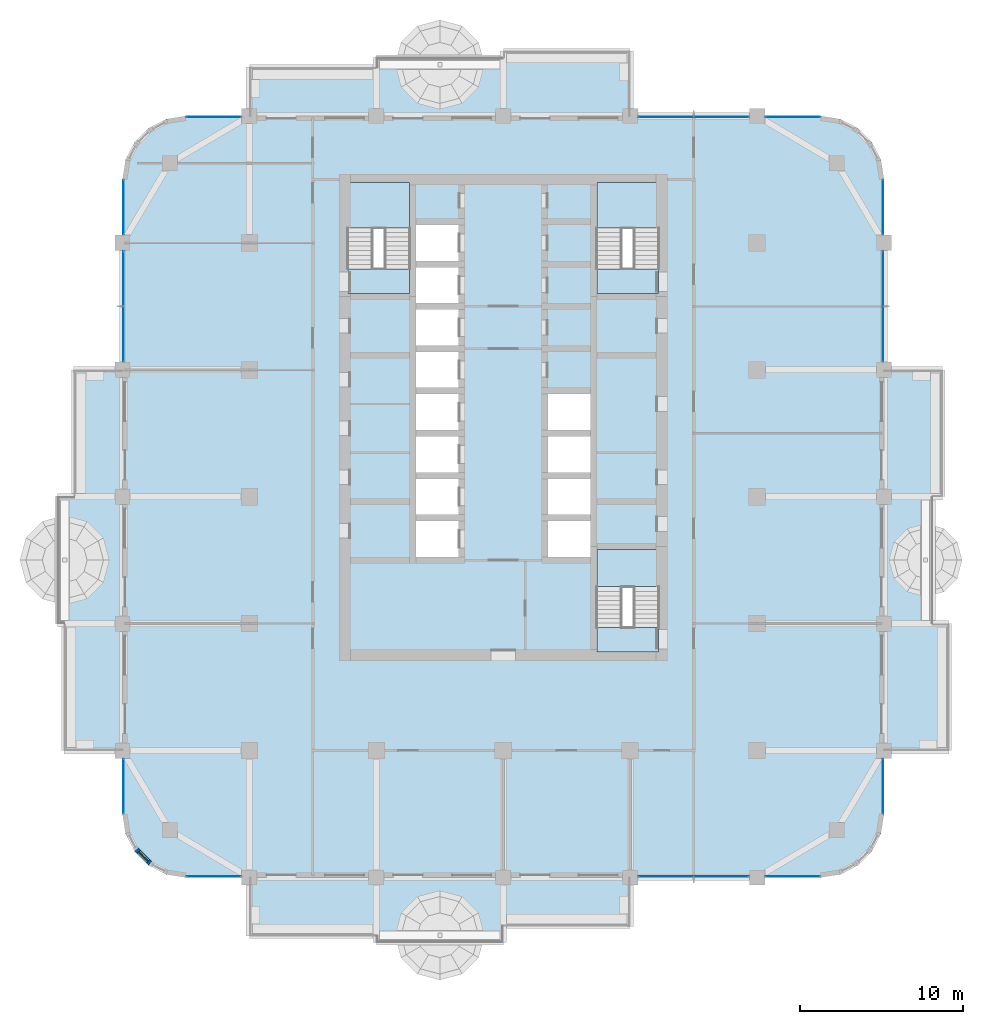
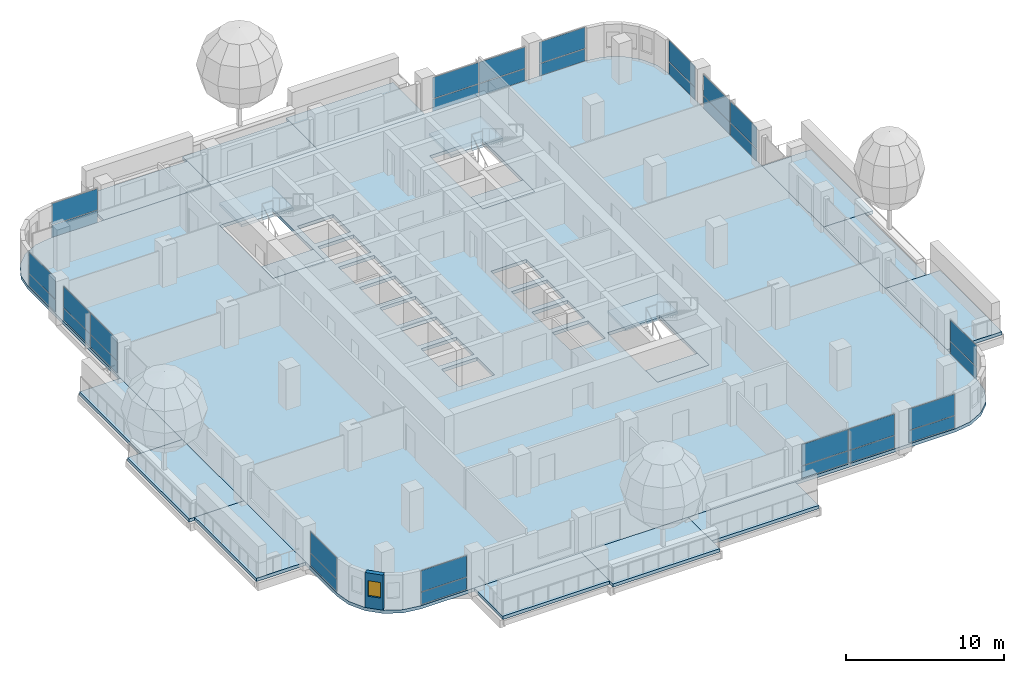
# One storey, part 9 of 21: 32 plates, 19 slabs, 1 wall, 1 window, 1 opening, 15 elements without a shape of their own.
"""IFC4 building model written with IfcOpenShell, lengths in metres."""

from ifc_helpers import new_model, si_unit, direction, frame, frame_2d, origin, origin_2d, place, context, subcontext, project, spatial, polyline, rectangle, outline, extrude, material, layer, layer_set, type_object, element, fill, aggregate, save


model = new_model("IFC4")

# Units and contexts
model_context = context("Model", 3, precision=1e-05, world=origin(), true_north=direction((0.0, 1.0)))
body_context = subcontext(model_context, "Body", "Model", "MODEL_VIEW")
ifc_project = project(units=[si_unit("LENGTHUNIT", "METRE"), si_unit("AREAUNIT", "SQUARE_METRE"), si_unit("VOLUMEUNIT", "CUBIC_METRE"), si_unit("PLANEANGLEUNIT", "RADIAN"), si_unit("MASSUNIT", "GRAM", prefix="KILO")], contexts=[model_context])

# Site, building, storey
site_placement = place(None, origin())
site = spatial("IfcSite", under=ifc_project, at=site_placement, CompositionType="ELEMENT")
building_placement = place(site_placement, origin())
building = spatial("IfcBuilding", under=site, at=building_placement, Name="Ludao Terraces", CompositionType="ELEMENT")
storey_placement = place(building_placement, frame((0.0, 0.0, 71.60009765625)))
storey = spatial("IfcBuildingStorey", under=building, at=storey_placement, Name="L19", CompositionType="ELEMENT", Elevation=71.60009765625)

# Slabs
ifc_material_1 = material(Name="Concrete C40", Category="concrete")
ifc_layer_1 = layer(ifc_material_1, 0.25)
ifc_layer_set_1 = layer_set([ifc_layer_1], Name="Balcony slab 250 C40")
slab_type_1 = type_object("IfcSlabType", Name="Balcony slab 250 C40", PredefinedType="USERDEFINED", material=ifc_layer_set_1)
slab_1_placement = place(storey_placement, frame((0.0, 0.0, -0.25)))
element("IfcSlab", 1, at=slab_1_placement, inside=storey, type_object=slab_type_1, Name="Balcony L19 S1", ObjectType="BALCONY", PredefinedType="USERDEFINED", context=body_context, shape_type="SweptSolid", body=[
    extrude(outline(polyline([(69.39990234375, 38.0), (77.199951171875, 38.0), (77.199951171875, 41.60009765625), (69.39990234375, 41.60009765625), (69.39990234375, 38.0)])), origin(), (0.0, 0.0, 1.0), 0.25),
])
slab_2_placement = place(storey_placement, frame((0.0, 0.0, -0.25)))
element("IfcSlab", 2, at=slab_2_placement, inside=storey, type_object=slab_type_1, Name="Balcony L19 S2", ObjectType="BALCONY", PredefinedType="USERDEFINED", context=body_context, shape_type="SweptSolid", body=[
    extrude(outline(polyline([(77.199951171875, 37.60009765625), (85.0, 37.60009765625), (85.0, 41.60009765625), (77.199951171875, 41.60009765625), (77.199951171875, 37.60009765625)])), origin(), (0.0, 0.0, 1.0), 0.25),
])
slab_3_placement = place(storey_placement, frame((0.0, 0.0, -0.25)))
element("IfcSlab", 3, at=slab_3_placement, inside=storey, type_object=slab_type_1, Name="Balcony L19 S3", ObjectType="BALCONY", PredefinedType="USERDEFINED", context=body_context, shape_type="SweptSolid", body=[
    extrude(outline(polyline([(85.0, 38.60009765625), (92.800048828125, 38.60009765625), (92.800048828125, 41.60009765625), (85.0, 41.60009765625), (85.0, 38.60009765625)])), origin(), (0.0, 0.0, 1.0), 0.25),
])
slab_4_placement = place(storey_placement, frame((0.0, 0.0, -0.25)))
element("IfcSlab", 4, at=slab_4_placement, inside=storey, type_object=slab_type_1, Name="Balcony L19 E1", ObjectType="BALCONY", PredefinedType="USERDEFINED", context=body_context, shape_type="SweptSolid", body=[
    extrude(outline(polyline([(108.39990234375, 49.39990234375), (112.39990234375, 49.39990234375), (112.39990234375, 57.199951171875), (108.39990234375, 57.199951171875), (108.39990234375, 49.39990234375)])), origin(), (0.0, 0.0, 1.0), 0.25),
])
slab_5_placement = place(storey_placement, frame((0.0, 0.0, -0.25)))
element("IfcSlab", 5, at=slab_5_placement, inside=storey, type_object=slab_type_1, Name="Balcony L19 E2", ObjectType="BALCONY", PredefinedType="USERDEFINED", context=body_context, shape_type="SweptSolid", body=[
    extrude(outline(polyline([(108.39990234375, 57.199951171875), (111.39990234375, 57.199951171875), (111.39990234375, 65.0), (108.39990234375, 65.0), (108.39990234375, 57.199951171875)])), origin(), (0.0, 0.0, 1.0), 0.25),
])
slab_6_placement = place(storey_placement, frame((0.0, 0.0, -0.25)))
element("IfcSlab", 6, at=slab_6_placement, inside=storey, type_object=slab_type_1, Name="Balcony L19 E3", ObjectType="BALCONY", PredefinedType="USERDEFINED", context=body_context, shape_type="SweptSolid", body=[
    extrude(outline(polyline([(108.39990234375, 65.0), (112.0, 65.0), (112.0, 72.800048828125), (108.39990234375, 72.800048828125), (108.39990234375, 65.0)])), origin(), (0.0, 0.0, 1.0), 0.25),
])
slab_7_placement = place(storey_placement, frame((0.0, 0.0, -0.25)))
element("IfcSlab", 7, at=slab_7_placement, inside=storey, type_object=slab_type_1, Name="Balcony L19 N1", ObjectType="BALCONY", PredefinedType="USERDEFINED", context=body_context, shape_type="SweptSolid", body=[
    extrude(outline(polyline([(69.39990234375, 88.39990234375), (77.199951171875, 88.39990234375), (77.199951171875, 91.39990234375), (69.39990234375, 91.39990234375), (69.39990234375, 88.39990234375)])), origin(), (0.0, 0.0, 1.0), 0.25),
])
slab_8_placement = place(storey_placement, frame((0.0, 0.0, -0.25)))
element("IfcSlab", 8, at=slab_8_placement, inside=storey, type_object=slab_type_1, Name="Balcony L19 N2", ObjectType="BALCONY", PredefinedType="USERDEFINED", context=body_context, shape_type="SweptSolid", body=[
    extrude(outline(polyline([(77.199951171875, 88.39990234375), (85.0, 88.39990234375), (85.0, 92.0), (77.199951171875, 92.0), (77.199951171875, 88.39990234375)])), origin(), (0.0, 0.0, 1.0), 0.25),
])
slab_9_placement = place(storey_placement, frame((0.0, 0.0, -0.25)))
element("IfcSlab", 9, at=slab_9_placement, inside=storey, type_object=slab_type_1, Name="Balcony L19 N3", ObjectType="BALCONY", PredefinedType="USERDEFINED", context=body_context, shape_type="SweptSolid", body=[
    extrude(outline(polyline([(85.0, 88.39990234375), (92.800048828125, 88.39990234375), (92.800048828125, 92.39990234375), (85.0, 92.39990234375), (85.0, 88.39990234375)])), origin(), (0.0, 0.0, 1.0), 0.25),
])
slab_10_placement = place(storey_placement, frame((0.0, 0.0, -0.25)))
element("IfcSlab", 10, at=slab_10_placement, inside=storey, type_object=slab_type_1, Name="Balcony L19 W1", ObjectType="BALCONY", PredefinedType="USERDEFINED", context=body_context, shape_type="SweptSolid", body=[
    extrude(outline(polyline([(58.0, 49.39990234375), (61.60009765625, 49.39990234375), (61.60009765625, 57.199951171875), (58.0, 57.199951171875), (58.0, 49.39990234375)])), origin(), (0.0, 0.0, 1.0), 0.25),
])
slab_11_placement = place(storey_placement, frame((0.0, 0.0, -0.25)))
element("IfcSlab", 11, at=slab_11_placement, inside=storey, type_object=slab_type_1, Name="Balcony L19 W2", ObjectType="BALCONY", PredefinedType="USERDEFINED", context=body_context, shape_type="SweptSolid", body=[
    extrude(outline(polyline([(57.60009765625, 57.199951171875), (61.60009765625, 57.199951171875), (61.60009765625, 65.0), (57.60009765625, 65.0), (57.60009765625, 57.199951171875)])), origin(), (0.0, 0.0, 1.0), 0.25),
])
slab_12_placement = place(storey_placement, frame((0.0, 0.0, -0.25)))
element("IfcSlab", 12, at=slab_12_placement, inside=storey, type_object=slab_type_1, Name="Balcony L19 W3", ObjectType="BALCONY", PredefinedType="USERDEFINED", context=body_context, shape_type="SweptSolid", body=[
    extrude(outline(polyline([(58.60009765625, 65.0), (61.60009765625, 65.0), (61.60009765625, 72.800048828125), (58.60009765625, 72.800048828125), (58.60009765625, 65.0)])), origin(), (0.0, 0.0, 1.0), 0.25),
])

# Curtain wall, plates
ifc_material_2 = material(Name="Aluminium curtain wall with fritted glass", Category="aluminium")
curtain_wall_type = type_object("IfcCurtainWallType", Name="ENV CW3 community glazing", PredefinedType="NOTDEFINED", material=ifc_material_2)
curtain_wall_1_placement = place(storey_placement, origin())
curtain_wall_1 = element("IfcCurtainWall", 13, at=curtain_wall_1_placement, inside=storey, type_object=curtain_wall_type, Name="Community floor glazing L19 S1", PredefinedType="NOTDEFINED")
ifc_material_3 = material(Name="Fritted glass panel", Category="glass")
ifc_layer_2 = layer(ifc_material_3, 0.02392578125)
ifc_layer_set_2 = layer_set([ifc_layer_2], Name="ENV CW3 glass panel")
plate_type = type_object("IfcPlateType", Name="ENV CW3 glass panel", PredefinedType="CURTAIN_PANEL", material=ifc_layer_set_2)
plate_1_placement = place(storey_placement, frame((67.21240234375, 41.659912109375, 0.0498046875), z_axis=(0.0, 0.0, 1.0), x_axis=(1.0, 0.0, 0.0)))
plate_1 = element("IfcPlate", 14, at=plate_1_placement, type_object=plate_type, Name="CW3 panel 1.1", PredefinedType="CURTAIN_PANEL", context=body_context, shape_type="SweptSolid", body=[
    extrude(rectangle(XDim=3.324951171875, YDim=0.02392578125, at=origin_2d()), origin(), (0.0, 0.0, 1.0), 0.925048828125),
])
plate_2_placement = place(storey_placement, frame((67.21240234375, 41.659912109375, 1.02490234375), z_axis=(0.0, 0.0, 1.0), x_axis=(1.0, 0.0, 0.0)))
plate_2 = element("IfcPlate", 15, at=plate_2_placement, type_object=plate_type, Name="CW3 panel 1.2", PredefinedType="CURTAIN_PANEL", context=body_context, shape_type="SweptSolid", body=[
    extrude(rectangle(XDim=3.324951171875, YDim=0.02392578125, at=origin_2d()), origin(), (0.0, 0.0, 1.0), 1.625),
])
aggregate(curtain_wall_1, [plate_1, plate_2])

curtain_wall_2_placement = place(storey_placement, origin())
curtain_wall_2 = element("IfcCurtainWall", 16, at=curtain_wall_2_placement, inside=storey, type_object=curtain_wall_type, Name="Community floor glazing L19 S5", PredefinedType="NOTDEFINED")
plate_3_placement = place(storey_placement, frame((95.0, 41.659912109375, 0.0498046875), z_axis=(0.0, 0.0, 1.0), x_axis=(1.0, 0.0, 0.0)))
plate_3 = element("IfcPlate", 17, at=plate_3_placement, type_object=plate_type, Name="CW3 panel 1.1", PredefinedType="CURTAIN_PANEL", context=body_context, shape_type="SweptSolid", body=[
    extrude(rectangle(XDim=3.35009765625, YDim=0.02392578125, at=origin_2d()), origin(), (0.0, 0.0, 1.0), 0.925048828125),
])
plate_4_placement = place(storey_placement, frame((95.0, 41.659912109375, 1.02490234375), z_axis=(0.0, 0.0, 1.0), x_axis=(1.0, 0.0, 0.0)))
plate_4 = element("IfcPlate", 18, at=plate_4_placement, type_object=plate_type, Name="CW3 panel 1.2", PredefinedType="CURTAIN_PANEL", context=body_context, shape_type="SweptSolid", body=[
    extrude(rectangle(XDim=3.35009765625, YDim=0.02392578125, at=origin_2d()), origin(), (0.0, 0.0, 1.0), 1.625),
])
plate_5_placement = place(storey_placement, frame((98.39990234375, 41.659912109375, 0.0498046875), z_axis=(0.0, 0.0, 1.0), x_axis=(1.0, 0.0, 0.0)))
plate_5 = element("IfcPlate", 19, at=plate_5_placement, type_object=plate_type, Name="CW3 panel 2.1", PredefinedType="CURTAIN_PANEL", context=body_context, shape_type="SweptSolid", body=[
    extrude(rectangle(XDim=3.35009765625, YDim=0.02392578125, at=origin_2d()), origin(), (0.0, 0.0, 1.0), 0.925048828125),
])
plate_6_placement = place(storey_placement, frame((98.39990234375, 41.659912109375, 1.02490234375), z_axis=(0.0, 0.0, 1.0), x_axis=(1.0, 0.0, 0.0)))
plate_6 = element("IfcPlate", 20, at=plate_6_placement, type_object=plate_type, Name="CW3 panel 2.2", PredefinedType="CURTAIN_PANEL", context=body_context, shape_type="SweptSolid", body=[
    extrude(rectangle(XDim=3.35009765625, YDim=0.02392578125, at=origin_2d()), origin(), (0.0, 0.0, 1.0), 1.625),
])
aggregate(curtain_wall_2, [plate_3, plate_4, plate_5, plate_6])

curtain_wall_3_placement = place(storey_placement, origin())
curtain_wall_3 = element("IfcCurtainWall", 21, at=curtain_wall_3_placement, inside=storey, type_object=curtain_wall_type, Name="Community floor glazing L19 S6", PredefinedType="NOTDEFINED")
plate_7_placement = place(storey_placement, frame((102.78759765625, 41.659912109375, 0.0498046875), z_axis=(0.0, 0.0, 1.0), x_axis=(1.0, 0.0, 0.0)))
plate_7 = element("IfcPlate", 22, at=plate_7_placement, type_object=plate_type, Name="CW3 panel 1.1", PredefinedType="CURTAIN_PANEL", context=body_context, shape_type="SweptSolid", body=[
    extrude(rectangle(XDim=3.324951171875, YDim=0.02392578125, at=origin_2d()), origin(), (0.0, 0.0, 1.0), 0.925048828125),
])
plate_8_placement = place(storey_placement, frame((102.78759765625, 41.659912109375, 1.02490234375), z_axis=(0.0, 0.0, 1.0), x_axis=(1.0, 0.0, 0.0)))
plate_8 = element("IfcPlate", 23, at=plate_8_placement, type_object=plate_type, Name="CW3 panel 1.2", PredefinedType="CURTAIN_PANEL", context=body_context, shape_type="SweptSolid", body=[
    extrude(rectangle(XDim=3.324951171875, YDim=0.02392578125, at=origin_2d()), origin(), (0.0, 0.0, 1.0), 1.625),
])
aggregate(curtain_wall_3, [plate_7, plate_8])

curtain_wall_4_placement = place(storey_placement, origin())
curtain_wall_4 = element("IfcCurtainWall", 24, at=curtain_wall_4_placement, inside=storey, type_object=curtain_wall_type, Name="Community floor glazing L19 E1", PredefinedType="NOTDEFINED")
plate_9_placement = place(storey_placement, frame((108.340087890625, 47.21240234375, 0.0498046875), z_axis=(0.0, 0.0, 1.0), x_axis=(0.0, 1.0, 0.0)))
plate_9 = element("IfcPlate", 25, at=plate_9_placement, type_object=plate_type, Name="CW3 panel 1.1", PredefinedType="CURTAIN_PANEL", context=body_context, shape_type="SweptSolid", body=[
    extrude(rectangle(XDim=3.324951171875, YDim=0.02392578125, at=origin_2d()), origin(), (0.0, 0.0, 1.0), 0.925048828125),
])
plate_10_placement = place(storey_placement, frame((108.340087890625, 47.21240234375, 1.02490234375), z_axis=(0.0, 0.0, 1.0), x_axis=(0.0, 1.0, 0.0)))
plate_10 = element("IfcPlate", 26, at=plate_10_placement, type_object=plate_type, Name="CW3 panel 1.2", PredefinedType="CURTAIN_PANEL", context=body_context, shape_type="SweptSolid", body=[
    extrude(rectangle(XDim=3.324951171875, YDim=0.02392578125, at=origin_2d()), origin(), (0.0, 0.0, 1.0), 1.625),
])
aggregate(curtain_wall_4, [plate_9, plate_10])

curtain_wall_5_placement = place(storey_placement, origin())
curtain_wall_5 = element("IfcCurtainWall", 27, at=curtain_wall_5_placement, inside=storey, type_object=curtain_wall_type, Name="Community floor glazing L19 E5", PredefinedType="NOTDEFINED")
plate_11_placement = place(storey_placement, frame((108.340087890625, 75.0, 0.0498046875), z_axis=(0.0, 0.0, 1.0), x_axis=(0.0, 1.0, 0.0)))
plate_11 = element("IfcPlate", 28, at=plate_11_placement, type_object=plate_type, Name="CW3 panel 1.1", PredefinedType="CURTAIN_PANEL", context=body_context, shape_type="SweptSolid", body=[
    extrude(rectangle(XDim=3.35009765625, YDim=0.02392578125, at=origin_2d()), origin(), (0.0, 0.0, 1.0), 0.925048828125),
])
plate_12_placement = place(storey_placement, frame((108.340087890625, 75.0, 1.02490234375), z_axis=(0.0, 0.0, 1.0), x_axis=(0.0, 1.0, 0.0)))
plate_12 = element("IfcPlate", 29, at=plate_12_placement, type_object=plate_type, Name="CW3 panel 1.2", PredefinedType="CURTAIN_PANEL", context=body_context, shape_type="SweptSolid", body=[
    extrude(rectangle(XDim=3.35009765625, YDim=0.02392578125, at=origin_2d()), origin(), (0.0, 0.0, 1.0), 1.625),
])
plate_13_placement = place(storey_placement, frame((108.340087890625, 78.39990234375, 0.0498046875), z_axis=(0.0, 0.0, 1.0), x_axis=(0.0, 1.0, 0.0)))
plate_13 = element("IfcPlate", 30, at=plate_13_placement, type_object=plate_type, Name="CW3 panel 2.1", PredefinedType="CURTAIN_PANEL", context=body_context, shape_type="SweptSolid", body=[
    extrude(rectangle(XDim=3.35009765625, YDim=0.02392578125, at=origin_2d()), origin(), (0.0, 0.0, 1.0), 0.925048828125),
])
plate_14_placement = place(storey_placement, frame((108.340087890625, 78.39990234375, 1.02490234375), z_axis=(0.0, 0.0, 1.0), x_axis=(0.0, 1.0, 0.0)))
plate_14 = element("IfcPlate", 31, at=plate_14_placement, type_object=plate_type, Name="CW3 panel 2.2", PredefinedType="CURTAIN_PANEL", context=body_context, shape_type="SweptSolid", body=[
    extrude(rectangle(XDim=3.35009765625, YDim=0.02392578125, at=origin_2d()), origin(), (0.0, 0.0, 1.0), 1.625),
])
aggregate(curtain_wall_5, [plate_11, plate_12, plate_13, plate_14])

curtain_wall_6_placement = place(storey_placement, origin())
curtain_wall_6 = element("IfcCurtainWall", 32, at=curtain_wall_6_placement, inside=storey, type_object=curtain_wall_type, Name="Community floor glazing L19 E6", PredefinedType="NOTDEFINED")
plate_15_placement = place(storey_placement, frame((108.340087890625, 82.78759765625, 0.0498046875), z_axis=(0.0, 0.0, 1.0), x_axis=(0.0, 1.0, 0.0)))
plate_15 = element("IfcPlate", 33, at=plate_15_placement, type_object=plate_type, Name="CW3 panel 1.1", PredefinedType="CURTAIN_PANEL", context=body_context, shape_type="SweptSolid", body=[
    extrude(rectangle(XDim=3.324951171875, YDim=0.02392578125, at=origin_2d()), origin(), (0.0, 0.0, 1.0), 0.925048828125),
])
plate_16_placement = place(storey_placement, frame((108.340087890625, 82.78759765625, 1.02490234375), z_axis=(0.0, 0.0, 1.0), x_axis=(0.0, 1.0, 0.0)))
plate_16 = element("IfcPlate", 34, at=plate_16_placement, type_object=plate_type, Name="CW3 panel 1.2", PredefinedType="CURTAIN_PANEL", context=body_context, shape_type="SweptSolid", body=[
    extrude(rectangle(XDim=3.324951171875, YDim=0.02392578125, at=origin_2d()), origin(), (0.0, 0.0, 1.0), 1.625),
])
aggregate(curtain_wall_6, [plate_15, plate_16])

curtain_wall_7_placement = place(storey_placement, origin())
curtain_wall_7 = element("IfcCurtainWall", 35, at=curtain_wall_7_placement, inside=storey, type_object=curtain_wall_type, Name="Community floor glazing L19 N1", PredefinedType="NOTDEFINED")
plate_17_placement = place(storey_placement, frame((67.21240234375, 88.340087890625, 0.0498046875), z_axis=(0.0, 0.0, 1.0), x_axis=(1.0, 0.0, 0.0)))
plate_17 = element("IfcPlate", 36, at=plate_17_placement, type_object=plate_type, Name="CW3 panel 1.1", PredefinedType="CURTAIN_PANEL", context=body_context, shape_type="SweptSolid", body=[
    extrude(rectangle(XDim=3.324951171875, YDim=0.02392578125, at=origin_2d()), origin(), (0.0, 0.0, 1.0), 0.925048828125),
])
plate_18_placement = place(storey_placement, frame((67.21240234375, 88.340087890625, 1.02490234375), z_axis=(0.0, 0.0, 1.0), x_axis=(1.0, 0.0, 0.0)))
plate_18 = element("IfcPlate", 37, at=plate_18_placement, type_object=plate_type, Name="CW3 panel 1.2", PredefinedType="CURTAIN_PANEL", context=body_context, shape_type="SweptSolid", body=[
    extrude(rectangle(XDim=3.324951171875, YDim=0.02392578125, at=origin_2d()), origin(), (0.0, 0.0, 1.0), 1.625),
])
aggregate(curtain_wall_7, [plate_17, plate_18])

curtain_wall_8_placement = place(storey_placement, origin())
curtain_wall_8 = element("IfcCurtainWall", 38, at=curtain_wall_8_placement, inside=storey, type_object=curtain_wall_type, Name="Community floor glazing L19 N5", PredefinedType="NOTDEFINED")
plate_19_placement = place(storey_placement, frame((95.0, 88.340087890625, 0.0498046875), z_axis=(0.0, 0.0, 1.0), x_axis=(1.0, 0.0, 0.0)))
plate_19 = element("IfcPlate", 39, at=plate_19_placement, type_object=plate_type, Name="CW3 panel 1.1", PredefinedType="CURTAIN_PANEL", context=body_context, shape_type="SweptSolid", body=[
    extrude(rectangle(XDim=3.35009765625, YDim=0.02392578125, at=origin_2d()), origin(), (0.0, 0.0, 1.0), 0.925048828125),
])
plate_20_placement = place(storey_placement, frame((95.0, 88.340087890625, 1.02490234375), z_axis=(0.0, 0.0, 1.0), x_axis=(1.0, 0.0, 0.0)))
plate_20 = element("IfcPlate", 40, at=plate_20_placement, type_object=plate_type, Name="CW3 panel 1.2", PredefinedType="CURTAIN_PANEL", context=body_context, shape_type="SweptSolid", body=[
    extrude(rectangle(XDim=3.35009765625, YDim=0.02392578125, at=origin_2d()), origin(), (0.0, 0.0, 1.0), 1.625),
])
plate_21_placement = place(storey_placement, frame((98.39990234375, 88.340087890625, 0.0498046875), z_axis=(0.0, 0.0, 1.0), x_axis=(1.0, 0.0, 0.0)))
plate_21 = element("IfcPlate", 41, at=plate_21_placement, type_object=plate_type, Name="CW3 panel 2.1", PredefinedType="CURTAIN_PANEL", context=body_context, shape_type="SweptSolid", body=[
    extrude(rectangle(XDim=3.35009765625, YDim=0.02392578125, at=origin_2d()), origin(), (0.0, 0.0, 1.0), 0.925048828125),
])
plate_22_placement = place(storey_placement, frame((98.39990234375, 88.340087890625, 1.02490234375), z_axis=(0.0, 0.0, 1.0), x_axis=(1.0, 0.0, 0.0)))
plate_22 = element("IfcPlate", 42, at=plate_22_placement, type_object=plate_type, Name="CW3 panel 2.2", PredefinedType="CURTAIN_PANEL", context=body_context, shape_type="SweptSolid", body=[
    extrude(rectangle(XDim=3.35009765625, YDim=0.02392578125, at=origin_2d()), origin(), (0.0, 0.0, 1.0), 1.625),
])
aggregate(curtain_wall_8, [plate_19, plate_20, plate_21, plate_22])

curtain_wall_9_placement = place(storey_placement, origin())
curtain_wall_9 = element("IfcCurtainWall", 43, at=curtain_wall_9_placement, inside=storey, type_object=curtain_wall_type, Name="Community floor glazing L19 N6", PredefinedType="NOTDEFINED")
plate_23_placement = place(storey_placement, frame((102.78759765625, 88.340087890625, 0.0498046875), z_axis=(0.0, 0.0, 1.0), x_axis=(1.0, 0.0, 0.0)))
plate_23 = element("IfcPlate", 44, at=plate_23_placement, type_object=plate_type, Name="CW3 panel 1.1", PredefinedType="CURTAIN_PANEL", context=body_context, shape_type="SweptSolid", body=[
    extrude(rectangle(XDim=3.324951171875, YDim=0.02392578125, at=origin_2d()), origin(), (0.0, 0.0, 1.0), 0.925048828125),
])
plate_24_placement = place(storey_placement, frame((102.78759765625, 88.340087890625, 1.02490234375), z_axis=(0.0, 0.0, 1.0), x_axis=(1.0, 0.0, 0.0)))
plate_24 = element("IfcPlate", 45, at=plate_24_placement, type_object=plate_type, Name="CW3 panel 1.2", PredefinedType="CURTAIN_PANEL", context=body_context, shape_type="SweptSolid", body=[
    extrude(rectangle(XDim=3.324951171875, YDim=0.02392578125, at=origin_2d()), origin(), (0.0, 0.0, 1.0), 1.625),
])
aggregate(curtain_wall_9, [plate_23, plate_24])

curtain_wall_10_placement = place(storey_placement, origin())
curtain_wall_10 = element("IfcCurtainWall", 46, at=curtain_wall_10_placement, inside=storey, type_object=curtain_wall_type, Name="Community floor glazing L19 W1", PredefinedType="NOTDEFINED")
plate_25_placement = place(storey_placement, frame((61.659912109375, 47.21240234375, 0.0498046875), z_axis=(0.0, 0.0, 1.0), x_axis=(0.0, 1.0, 0.0)))
plate_25 = element("IfcPlate", 47, at=plate_25_placement, type_object=plate_type, Name="CW3 panel 1.1", PredefinedType="CURTAIN_PANEL", context=body_context, shape_type="SweptSolid", body=[
    extrude(rectangle(XDim=3.324951171875, YDim=0.02392578125, at=origin_2d()), origin(), (0.0, 0.0, 1.0), 0.925048828125),
])
plate_26_placement = place(storey_placement, frame((61.659912109375, 47.21240234375, 1.02490234375), z_axis=(0.0, 0.0, 1.0), x_axis=(0.0, 1.0, 0.0)))
plate_26 = element("IfcPlate", 48, at=plate_26_placement, type_object=plate_type, Name="CW3 panel 1.2", PredefinedType="CURTAIN_PANEL", context=body_context, shape_type="SweptSolid", body=[
    extrude(rectangle(XDim=3.324951171875, YDim=0.02392578125, at=origin_2d()), origin(), (0.0, 0.0, 1.0), 1.625),
])
aggregate(curtain_wall_10, [plate_25, plate_26])

curtain_wall_11_placement = place(storey_placement, origin())
curtain_wall_11 = element("IfcCurtainWall", 49, at=curtain_wall_11_placement, inside=storey, type_object=curtain_wall_type, Name="Community floor glazing L19 W5", PredefinedType="NOTDEFINED")
plate_27_placement = place(storey_placement, frame((61.659912109375, 75.0, 0.0498046875), z_axis=(0.0, 0.0, 1.0), x_axis=(0.0, 1.0, 0.0)))
plate_27 = element("IfcPlate", 50, at=plate_27_placement, type_object=plate_type, Name="CW3 panel 1.1", PredefinedType="CURTAIN_PANEL", context=body_context, shape_type="SweptSolid", body=[
    extrude(rectangle(XDim=3.35009765625, YDim=0.02392578125, at=origin_2d()), origin(), (0.0, 0.0, 1.0), 0.925048828125),
])
plate_28_placement = place(storey_placement, frame((61.659912109375, 75.0, 1.02490234375), z_axis=(0.0, 0.0, 1.0), x_axis=(0.0, 1.0, 0.0)))
plate_28 = element("IfcPlate", 51, at=plate_28_placement, type_object=plate_type, Name="CW3 panel 1.2", PredefinedType="CURTAIN_PANEL", context=body_context, shape_type="SweptSolid", body=[
    extrude(rectangle(XDim=3.35009765625, YDim=0.02392578125, at=origin_2d()), origin(), (0.0, 0.0, 1.0), 1.625),
])
plate_29_placement = place(storey_placement, frame((61.659912109375, 78.39990234375, 0.0498046875), z_axis=(0.0, 0.0, 1.0), x_axis=(0.0, 1.0, 0.0)))
plate_29 = element("IfcPlate", 52, at=plate_29_placement, type_object=plate_type, Name="CW3 panel 2.1", PredefinedType="CURTAIN_PANEL", context=body_context, shape_type="SweptSolid", body=[
    extrude(rectangle(XDim=3.35009765625, YDim=0.02392578125, at=origin_2d()), origin(), (0.0, 0.0, 1.0), 0.925048828125),
])
plate_30_placement = place(storey_placement, frame((61.659912109375, 78.39990234375, 1.02490234375), z_axis=(0.0, 0.0, 1.0), x_axis=(0.0, 1.0, 0.0)))
plate_30 = element("IfcPlate", 53, at=plate_30_placement, type_object=plate_type, Name="CW3 panel 2.2", PredefinedType="CURTAIN_PANEL", context=body_context, shape_type="SweptSolid", body=[
    extrude(rectangle(XDim=3.35009765625, YDim=0.02392578125, at=origin_2d()), origin(), (0.0, 0.0, 1.0), 1.625),
])
aggregate(curtain_wall_11, [plate_27, plate_28, plate_29, plate_30])

curtain_wall_12_placement = place(storey_placement, origin())
curtain_wall_12 = element("IfcCurtainWall", 54, at=curtain_wall_12_placement, inside=storey, type_object=curtain_wall_type, Name="Community floor glazing L19 W6", PredefinedType="NOTDEFINED")
plate_31_placement = place(storey_placement, frame((61.659912109375, 82.78759765625, 0.0498046875), z_axis=(0.0, 0.0, 1.0), x_axis=(0.0, 1.0, 0.0)))
plate_31 = element("IfcPlate", 55, at=plate_31_placement, type_object=plate_type, Name="CW3 panel 1.1", PredefinedType="CURTAIN_PANEL", context=body_context, shape_type="SweptSolid", body=[
    extrude(rectangle(XDim=3.324951171875, YDim=0.02392578125, at=origin_2d()), origin(), (0.0, 0.0, 1.0), 0.925048828125),
])
plate_32_placement = place(storey_placement, frame((61.659912109375, 82.78759765625, 1.02490234375), z_axis=(0.0, 0.0, 1.0), x_axis=(0.0, 1.0, 0.0)))
plate_32 = element("IfcPlate", 56, at=plate_32_placement, type_object=plate_type, Name="CW3 panel 1.2", PredefinedType="CURTAIN_PANEL", context=body_context, shape_type="SweptSolid", body=[
    extrude(rectangle(XDim=3.324951171875, YDim=0.02392578125, at=origin_2d()), origin(), (0.0, 0.0, 1.0), 1.625),
])
aggregate(curtain_wall_12, [plate_31, plate_32])

# Slab
ifc_layer_3 = layer(ifc_material_1, 0.25)
ifc_layer_set_3 = layer_set([ifc_layer_3], Name="Floor slab 250 C40")
slab_type_2 = type_object("IfcSlabType", Name="Floor slab 250 C40", PredefinedType="FLOOR", material=ifc_layer_set_3)
slab_13_placement = place(storey_placement, frame((0.0, 0.0, -0.25)))
element("IfcSlab", 57, at=slab_13_placement, inside=storey, type_object=slab_type_2, Name="Slab L19", PredefinedType="FLOOR", context=body_context, shape_type="SweptSolid", body=[
    extrude(outline(polyline([(104.5, 41.60009765625), (105.705078125, 41.790771484375), (106.79248046875, 42.3447265625), (107.6552734375, 43.20751953125), (108.209228515625, 44.294921875), (108.39990234375, 45.5), (108.39990234375, 84.5), (108.209228515625, 85.705078125), (107.6552734375, 86.79248046875), (106.79248046875, 87.6552734375), (105.705078125, 88.209228515625), (104.5, 88.39990234375), (65.5, 88.39990234375), (64.294921875, 88.209228515625), (63.20751953125, 87.6552734375), (62.3447265625, 86.79248046875), (61.790771484375, 85.705078125), (61.60009765625, 84.5), (61.60009765625, 45.5), (61.790771484375, 44.294921875), (62.3447265625, 43.20751953125), (63.20751953125, 42.3447265625), (64.294921875, 41.790771484375), (65.5, 41.60009765625), (104.5, 41.60009765625)]), holes=[polyline([(79.64990234375, 61.300048828125), (82.25, 61.300048828125), (82.25, 63.5), (79.64990234375, 63.5), (79.64990234375, 61.300048828125)]), polyline([(79.64990234375, 63.89990234375), (82.25, 63.89990234375), (82.25, 66.10009765625), (79.64990234375, 66.10009765625), (79.64990234375, 63.89990234375)]), polyline([(79.64990234375, 66.5), (82.25, 66.5), (82.25, 68.699951171875), (79.64990234375, 68.699951171875), (79.64990234375, 66.5)]), polyline([(79.64990234375, 69.10009765625), (82.25, 69.10009765625), (82.25, 71.300048828125), (79.64990234375, 71.300048828125), (79.64990234375, 69.10009765625)]), polyline([(79.64990234375, 71.699951171875), (82.25, 71.699951171875), (82.25, 73.89990234375), (79.64990234375, 73.89990234375), (79.64990234375, 71.699951171875)]), polyline([(79.64990234375, 74.300048828125), (82.25, 74.300048828125), (82.25, 76.5), (79.64990234375, 76.5), (79.64990234375, 74.300048828125)]), polyline([(79.64990234375, 76.89990234375), (82.25, 76.89990234375), (82.25, 79.10009765625), (79.64990234375, 79.10009765625), (79.64990234375, 76.89990234375)]), polyline([(79.64990234375, 79.5), (82.25, 79.5), (82.25, 81.699951171875), (79.64990234375, 81.699951171875), (79.64990234375, 79.5)]), polyline([(87.75, 61.300048828125), (90.35009765625, 61.300048828125), (90.35009765625, 63.5), (87.75, 63.5), (87.75, 61.300048828125)]), polyline([(87.75, 63.89990234375), (90.35009765625, 63.89990234375), (90.35009765625, 66.10009765625), (87.75, 66.10009765625), (87.75, 63.89990234375)]), polyline([(87.75, 66.5), (90.35009765625, 66.5), (90.35009765625, 68.699951171875), (87.75, 68.699951171875), (87.75, 66.5)]), polyline([(87.75, 69.10009765625), (90.35009765625, 69.10009765625), (90.35009765625, 71.300048828125), (87.75, 71.300048828125), (87.75, 69.10009765625)]), polyline([(75.449951171875, 77.5), (79.25, 77.5), (79.25, 84.239990234375), (75.449951171875, 84.239990234375), (75.449951171875, 77.5)]), polyline([(90.75, 77.5), (94.550048828125, 77.5), (94.550048828125, 84.239990234375), (90.75, 84.239990234375), (90.75, 77.5)]), polyline([(90.75, 55.449951171875), (94.550048828125, 55.449951171875), (94.550048828125, 61.75), (90.75, 61.75), (90.75, 55.449951171875)])]), origin(), (0.0, 0.0, 1.0), 0.25),
])

# Stair, slabs
stair_type = type_object("IfcStairType", Name="INT Stair", PredefinedType="HALF_TURN_STAIR", material=ifc_material_1)
stair_1_placement = place(storey_placement, origin())
stair_1 = element("IfcStair", 58, at=stair_1_placement, inside=storey, type_object=stair_type, Name="EXIT STAIR 1", PredefinedType="HALF_TURN_STAIR")
ifc_layer_4 = layer(ifc_material_1, 0.199951171875)
ifc_layer_set_4 = layer_set([ifc_layer_4], Name="INT Stair landing 200")
slab_type_3 = type_object("IfcSlabType", Name="INT Stair landing 200", PredefinedType="LANDING", material=ifc_layer_set_4)
slab_14_placement = place(storey_placement, frame((0.0, 0.0, 1.5)))
slab_14 = element("IfcSlab", 59, at=slab_14_placement, type_object=slab_type_3, Name="ST1 landing 1", PredefinedType="LANDING", context=body_context, shape_type="SweptSolid", body=[
    extrude(outline(polyline([(75.449951171875, 81.52001953125), (79.25, 81.52001953125), (79.25, 84.300048828125), (75.449951171875, 84.300048828125), (75.449951171875, 81.52001953125)])), origin(), (0.0, 0.0, 1.0), 0.199951171875),
])
slab_15_placement = place(storey_placement, frame((0.0, 0.0, -0.2001953125)))
slab_15 = element("IfcSlab", 60, at=slab_15_placement, type_object=slab_type_3, Name="ST1 landing 2", PredefinedType="LANDING", context=body_context, shape_type="SweptSolid", body=[
    extrude(outline(polyline([(75.449951171875, 77.5), (79.25, 77.5), (79.25, 79.0), (75.449951171875, 79.0), (75.449951171875, 77.5)])), origin(), (0.0, 0.0, 1.0), 0.2001953125),
])
aggregate(stair_1, [slab_14, slab_15])

stair_2_placement = place(storey_placement, origin())
stair_2 = element("IfcStair", 61, at=stair_2_placement, inside=storey, type_object=stair_type, Name="EXIT STAIR 2", PredefinedType="HALF_TURN_STAIR")
slab_16_placement = place(storey_placement, frame((0.0, 0.0, 1.5)))
slab_16 = element("IfcSlab", 62, at=slab_16_placement, type_object=slab_type_3, Name="ST2 landing 1", PredefinedType="LANDING", context=body_context, shape_type="SweptSolid", body=[
    extrude(outline(polyline([(90.75, 81.52001953125), (94.550048828125, 81.52001953125), (94.550048828125, 84.300048828125), (90.75, 84.300048828125), (90.75, 81.52001953125)])), origin(), (0.0, 0.0, 1.0), 0.199951171875),
])
slab_17_placement = place(storey_placement, frame((0.0, 0.0, -0.2001953125)))
slab_17 = element("IfcSlab", 63, at=slab_17_placement, type_object=slab_type_3, Name="ST2 landing 2", PredefinedType="LANDING", context=body_context, shape_type="SweptSolid", body=[
    extrude(outline(polyline([(90.75, 77.5), (94.550048828125, 77.5), (94.550048828125, 79.0), (90.75, 79.0), (90.75, 77.5)])), origin(), (0.0, 0.0, 1.0), 0.2001953125),
])
aggregate(stair_2, [slab_16, slab_17])

stair_3_placement = place(storey_placement, origin())
stair_3 = element("IfcStair", 64, at=stair_3_placement, inside=storey, type_object=stair_type, Name="EXIT STAIR 3", PredefinedType="HALF_TURN_STAIR")
slab_18_placement = place(storey_placement, frame((0.0, 0.0, 1.5)))
slab_18 = element("IfcSlab", 65, at=slab_18_placement, type_object=slab_type_3, Name="ST3 landing 1", PredefinedType="LANDING", context=body_context, shape_type="SweptSolid", body=[
    extrude(outline(polyline([(90.75, 59.469970703125), (94.550048828125, 59.469970703125), (94.550048828125, 61.75), (90.75, 61.75), (90.75, 59.469970703125)])), origin(), (0.0, 0.0, 1.0), 0.199951171875),
])
slab_19_placement = place(storey_placement, frame((0.0, 0.0, -0.2001953125)))
slab_19 = element("IfcSlab", 66, at=slab_19_placement, type_object=slab_type_3, Name="ST3 landing 2", PredefinedType="LANDING", context=body_context, shape_type="SweptSolid", body=[
    extrude(outline(polyline([(90.75, 55.449951171875), (94.550048828125, 55.449951171875), (94.550048828125, 56.949951171875), (90.75, 56.949951171875), (90.75, 55.449951171875)])), origin(), (0.0, 0.0, 1.0), 0.2001953125),
])
aggregate(stair_3, [slab_18, slab_19])

# Wall, opening, window
ifc_material_4 = material(Name="Granite cladding", Category="masonry")
ifc_layer_5 = layer(ifc_material_4, 0.0400390625, Category="stone")
ifc_material_5 = material(Name="Mineral wool")
ifc_layer_6 = layer(ifc_material_5, 0.06005859375)
ifc_layer_7 = layer(ifc_material_1, 0.199951171875, Category="concrete")
ifc_layer_set_5 = layer_set([ifc_layer_5, ifc_layer_6, ifc_layer_7], Name="ENV Stone-clad wall 300")
wall_type = type_object("IfcWallType", Name="ENV Stone-clad wall 300", PredefinedType="SOLIDWALL", material=ifc_layer_set_5)
wall_placement = place(storey_placement, frame((62.46630859375, 43.2958984375, 0.0), z_axis=(0.0, 0.0, 1.0), x_axis=(0.707106781187, -0.707106781187, 0.0)))
wall = element("IfcWall", 67, at=wall_placement, inside=storey, type_object=wall_type, Name="EW-L19-SW3", PredefinedType="SOLIDWALL", context=body_context, shape_type="SweptSolid", body=[
    extrude(rectangle(XDim=1.173095703125, YDim=0.300048828125, at=frame_2d((0.58642578125, 0.0))), origin(), (0.0, 0.0, 1.0), 2.699951171875),
])
opening_placement = place(wall_placement, frame((0.1865234375, 0.0, 0.89990234375)))
opening = element("IfcOpeningElement", 68, at=opening_placement, cuts=wall, Name="Opening W3", PredefinedType="OPENING", context=body_context, shape_type="SweptSolid", body=[
    extrude(rectangle(XDim=0.800048828125, YDim=1.199951171875, at=frame_2d((0.39990234375, 0.60009765625))), frame((0.0, 0.16015625, 0.0), z_axis=(0.0, -1.0, 0.0), x_axis=(1.0, 0.0, 0.0)), (0.0, 0.0, 1.0), 0.320068359375),
])
ifc_material_6 = material(Name="Clear glass in aluminium frame", Category="aluminium")
ifc_layer_8 = layer(ifc_material_6, 0.06005859375)
ifc_layer_set_6 = layer_set([ifc_layer_8], Name="ENV Window W3 800x1200")
window_type = type_object("IfcWindowType", Name="ENV Window W3 800x1200", PartitioningType="SINGLE_PANEL", PredefinedType="WINDOW", material=ifc_layer_set_6)
window_placement = place(opening_placement, origin())
window = element("IfcWindow", 69, at=window_placement, inside=storey, type_object=window_type, Name="W-L19-SW3", OverallHeight=1.199951171875, OverallWidth=0.800048828125, PartitioningType="SINGLE_PANEL", PredefinedType="WINDOW", context=body_context, shape_type="SweptSolid", body=[
    extrude(rectangle(XDim=0.800048828125, YDim=1.199951171875, at=frame_2d((0.39990234375, 0.60009765625))), frame((0.0, 0.030029296875, 0.0), z_axis=(0.0, -1.0, 0.0), x_axis=(1.0, 0.0, 0.0)), (0.0, 0.0, 1.0), 0.06005859375),
])
fill(opening, window)

save(model, "model.ifc")
